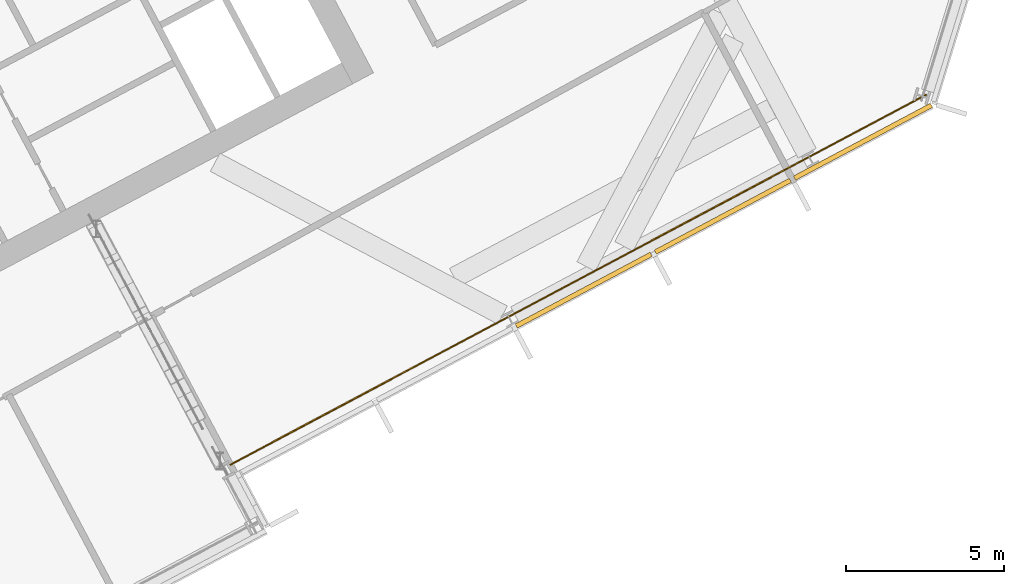
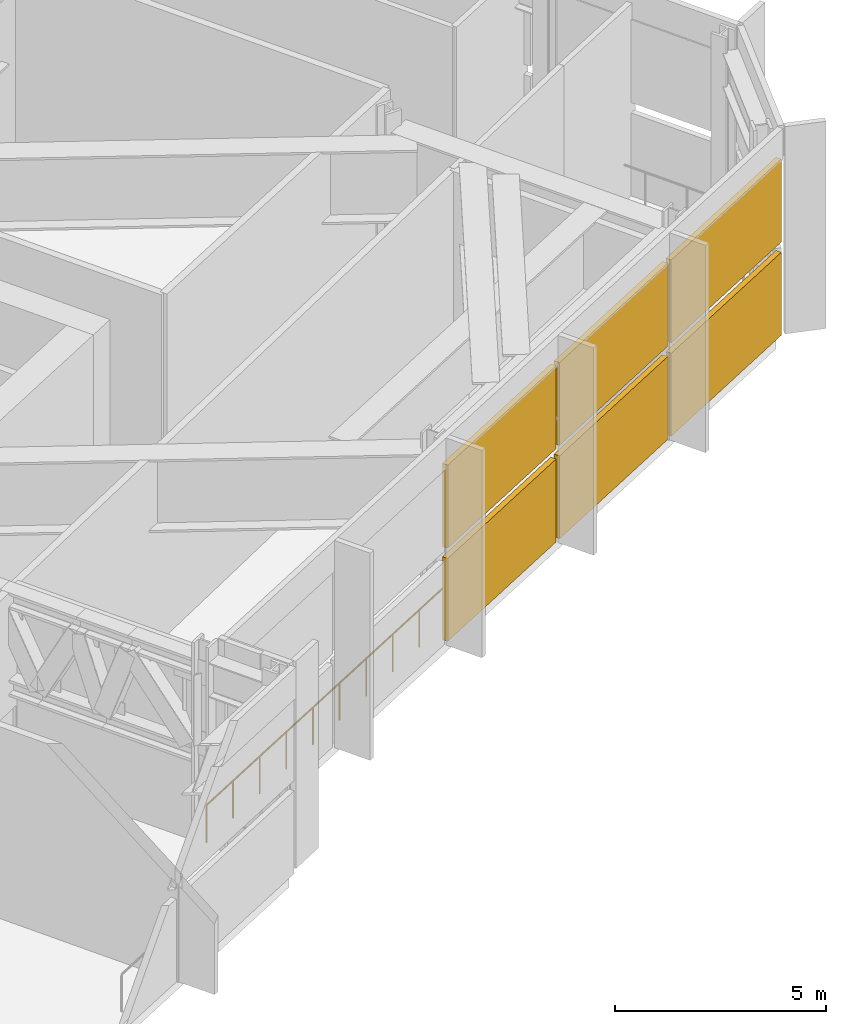
# One storey, part 30 of 33: 6 shading devices, 1 railing, 1 element without a shape of its own.
"""IFC4 building model written with IfcOpenShell, lengths in metres."""

from ifc_helpers import new_model, si_unit, direction, frame, origin, origin_2d, place, context, subcontext, project, spatial, polyline, rectangle, outline, extrude, material, layer, layer_set, type_object, element, aggregate, save


model = new_model("IFC4")

# Units and contexts
model_context = context("Model", 3, precision=1e-05, world=origin(), true_north=direction((0.0, 1.0)))
body_context = subcontext(model_context, "Body", "Model", "MODEL_VIEW")
ifc_project = project(units=[si_unit("LENGTHUNIT", "METRE"), si_unit("AREAUNIT", "SQUARE_METRE"), si_unit("VOLUMEUNIT", "CUBIC_METRE"), si_unit("PLANEANGLEUNIT", "RADIAN"), si_unit("MASSUNIT", "GRAM", prefix="KILO")], contexts=[model_context])

# Site, building, storey
site_placement = place(None, origin())
site = spatial("IfcSite", under=ifc_project, at=site_placement, CompositionType="ELEMENT")
building_placement = place(site_placement, origin())
building = spatial("IfcBuilding", under=site, at=building_placement, Name="Cormorant Relay Tower", CompositionType="ELEMENT")
storey_placement = place(building_placement, frame((0.0, 0.0, 183.60009765625)))
storey = spatial("IfcBuildingStorey", under=building, at=storey_placement, Name="L39", CompositionType="ELEMENT", Elevation=183.60009765625)

# Railing
ifc_material_1 = material(Name="Stainless steel 316 guard", Category="steel")
railing_type = type_object("IfcRailingType", Name="Band louvre guard 1100", PredefinedType="GUARDRAIL", material=ifc_material_1)
railing_placement = place(storey_placement, frame((33.501708984375, -3.365966796875, 0.0)))
element("IfcRailing", 1, at=railing_placement, inside=storey, type_object=railing_type, Name="CW4 guard 4", PredefinedType="GUARDRAIL", context=body_context, shape_type="SweptSolid", body=[
    extrude(outline(polyline([(0.022216796875, 0.00927734375), (0.00927734375, 0.022216796875), (-0.00927734375, 0.022216796875), (-0.022216796875, 0.00927734375), (-0.022216796875, -0.00927734375), (-0.00927734375, -0.022216796875), (0.00927734375, -0.022216796875), (0.022216796875, -0.00927734375), (0.022216796875, 0.00927734375)])), frame((0.0, 0.0, 1.076171875), z_axis=(0.882945345546, 0.469475789342, 0.0), x_axis=(-0.469475789342, 0.882945345546, 0.0)), (0.0, 0.0, 1.0), 24.999755859375),
    extrude(outline(polyline([(0.019287109375, 0.008056640625), (0.008056640625, 0.019287109375), (-0.008056640625, 0.019287109375), (-0.019287109375, 0.008056640625), (-0.019287109375, -0.008056640625), (-0.008056640625, -0.019287109375), (0.008056640625, -0.019287109375), (0.019287109375, -0.008056640625), (0.019287109375, 0.008056640625)])), origin(), (0.0, 0.0, 1.0), 1.052001953125),
    extrude(outline(polyline([(0.019287109375, 0.008056640625), (0.008056640625, 0.019287109375), (-0.008056640625, 0.019287109375), (-0.019287109375, 0.008056640625), (-0.019287109375, -0.008056640625), (-0.008056640625, -0.019287109375), (0.008056640625, -0.019287109375), (0.019287109375, -0.008056640625), (0.019287109375, 0.008056640625)])), frame((1.051025390625, 0.558837890625, 0.0)), (0.0, 0.0, 1.0), 1.052001953125),
    extrude(outline(polyline([(0.019287109375, 0.008056640625), (0.008056640625, 0.019287109375), (-0.008056640625, 0.019287109375), (-0.019287109375, 0.008056640625), (-0.019287109375, -0.008056640625), (-0.008056640625, -0.019287109375), (0.008056640625, -0.019287109375), (0.019287109375, -0.008056640625), (0.019287109375, 0.008056640625)])), frame((2.102294921875, 1.11767578125, 0.0)), (0.0, 0.0, 1.0), 1.052001953125),
    extrude(outline(polyline([(0.019287109375, 0.008056640625), (0.008056640625, 0.019287109375), (-0.008056640625, 0.019287109375), (-0.019287109375, 0.008056640625), (-0.019287109375, -0.008056640625), (-0.008056640625, -0.019287109375), (0.008056640625, -0.019287109375), (0.019287109375, -0.008056640625), (0.019287109375, 0.008056640625)])), frame((3.1533203125, 1.6767578125, 0.0)), (0.0, 0.0, 1.0), 1.052001953125),
    extrude(outline(polyline([(0.019287109375, 0.008056640625), (0.008056640625, 0.019287109375), (-0.008056640625, 0.019287109375), (-0.019287109375, 0.008056640625), (-0.019287109375, -0.008056640625), (-0.008056640625, -0.019287109375), (0.008056640625, -0.019287109375), (0.019287109375, -0.008056640625), (0.019287109375, 0.008056640625)])), frame((4.20458984375, 2.235595703125, 0.0)), (0.0, 0.0, 1.0), 1.052001953125),
    extrude(outline(polyline([(0.019287109375, 0.008056640625), (0.008056640625, 0.019287109375), (-0.008056640625, 0.019287109375), (-0.019287109375, 0.008056640625), (-0.019287109375, -0.008056640625), (-0.008056640625, -0.019287109375), (0.008056640625, -0.019287109375), (0.019287109375, -0.008056640625), (0.019287109375, 0.008056640625)])), frame((5.255615234375, 2.79443359375, 0.0)), (0.0, 0.0, 1.0), 1.052001953125),
    extrude(outline(polyline([(0.019287109375, 0.008056640625), (0.008056640625, 0.019287109375), (-0.008056640625, 0.019287109375), (-0.019287109375, 0.008056640625), (-0.019287109375, -0.008056640625), (-0.008056640625, -0.019287109375), (0.008056640625, -0.019287109375), (0.019287109375, -0.008056640625), (0.019287109375, 0.008056640625)])), frame((6.306640625, 3.353271484375, 0.0)), (0.0, 0.0, 1.0), 1.052001953125),
    extrude(outline(polyline([(0.019287109375, 0.008056640625), (0.008056640625, 0.019287109375), (-0.008056640625, 0.019287109375), (-0.019287109375, 0.008056640625), (-0.019287109375, -0.008056640625), (-0.008056640625, -0.019287109375), (0.008056640625, -0.019287109375), (0.019287109375, -0.008056640625), (0.019287109375, 0.008056640625)])), frame((7.35791015625, 3.912353515625, 0.0)), (0.0, 0.0, 1.0), 1.052001953125),
    extrude(outline(polyline([(0.019287109375, 0.008056640625), (0.008056640625, 0.019287109375), (-0.008056640625, 0.019287109375), (-0.019287109375, 0.008056640625), (-0.019287109375, -0.008056640625), (-0.008056640625, -0.019287109375), (0.008056640625, -0.019287109375), (0.019287109375, -0.008056640625), (0.019287109375, 0.008056640625)])), frame((8.408935546875, 4.47119140625, 0.0)), (0.0, 0.0, 1.0), 1.052001953125),
    extrude(outline(polyline([(0.019287109375, 0.008056640625), (0.008056640625, 0.019287109375), (-0.008056640625, 0.019287109375), (-0.019287109375, 0.008056640625), (-0.019287109375, -0.008056640625), (-0.008056640625, -0.019287109375), (0.008056640625, -0.019287109375), (0.019287109375, -0.008056640625), (0.019287109375, 0.008056640625)])), frame((9.4599609375, 5.030029296875, 0.0)), (0.0, 0.0, 1.0), 1.052001953125),
    extrude(outline(polyline([(0.019287109375, 0.008056640625), (0.008056640625, 0.019287109375), (-0.008056640625, 0.019287109375), (-0.019287109375, 0.008056640625), (-0.019287109375, -0.008056640625), (-0.008056640625, -0.019287109375), (0.008056640625, -0.019287109375), (0.019287109375, -0.008056640625), (0.019287109375, 0.008056640625)])), frame((10.51123046875, 5.5888671875, 0.0)), (0.0, 0.0, 1.0), 1.052001953125),
    extrude(outline(polyline([(0.019287109375, 0.008056640625), (0.008056640625, 0.019287109375), (-0.008056640625, 0.019287109375), (-0.019287109375, 0.008056640625), (-0.019287109375, -0.008056640625), (-0.008056640625, -0.019287109375), (0.008056640625, -0.019287109375), (0.019287109375, -0.008056640625), (0.019287109375, 0.008056640625)])), frame((11.562255859375, 6.14794921875, 0.0)), (0.0, 0.0, 1.0), 1.052001953125),
    extrude(outline(polyline([(0.019287109375, 0.008056640625), (0.008056640625, 0.019287109375), (-0.008056640625, 0.019287109375), (-0.019287109375, 0.008056640625), (-0.019287109375, -0.008056640625), (-0.008056640625, -0.019287109375), (0.008056640625, -0.019287109375), (0.019287109375, -0.008056640625), (0.019287109375, 0.008056640625)])), frame((12.613525390625, 6.706787109375, 0.0)), (0.0, 0.0, 1.0), 1.052001953125),
    extrude(outline(polyline([(0.019287109375, 0.008056640625), (0.008056640625, 0.019287109375), (-0.008056640625, 0.019287109375), (-0.019287109375, 0.008056640625), (-0.019287109375, -0.008056640625), (-0.008056640625, -0.019287109375), (0.008056640625, -0.019287109375), (0.019287109375, -0.008056640625), (0.019287109375, 0.008056640625)])), frame((13.66455078125, 7.265625, 0.0)), (0.0, 0.0, 1.0), 1.052001953125),
    extrude(outline(polyline([(0.019287109375, 0.008056640625), (0.008056640625, 0.019287109375), (-0.008056640625, 0.019287109375), (-0.019287109375, 0.008056640625), (-0.019287109375, -0.008056640625), (-0.008056640625, -0.019287109375), (0.008056640625, -0.019287109375), (0.019287109375, -0.008056640625), (0.019287109375, 0.008056640625)])), frame((14.715576171875, 7.824462890625, 0.0)), (0.0, 0.0, 1.0), 1.052001953125),
    extrude(outline(polyline([(0.019287109375, 0.008056640625), (0.008056640625, 0.019287109375), (-0.008056640625, 0.019287109375), (-0.019287109375, 0.008056640625), (-0.019287109375, -0.008056640625), (-0.008056640625, -0.019287109375), (0.008056640625, -0.019287109375), (0.019287109375, -0.008056640625), (0.019287109375, 0.008056640625)])), frame((15.766845703125, 8.383544921875, 0.0)), (0.0, 0.0, 1.0), 1.052001953125),
    extrude(outline(polyline([(0.019287109375, 0.008056640625), (0.008056640625, 0.019287109375), (-0.008056640625, 0.019287109375), (-0.019287109375, 0.008056640625), (-0.019287109375, -0.008056640625), (-0.008056640625, -0.019287109375), (0.008056640625, -0.019287109375), (0.019287109375, -0.008056640625), (0.019287109375, 0.008056640625)])), frame((16.81787109375, 8.9423828125, 0.0)), (0.0, 0.0, 1.0), 1.052001953125),
    extrude(outline(polyline([(0.019287109375, 0.008056640625), (0.008056640625, 0.019287109375), (-0.008056640625, 0.019287109375), (-0.019287109375, 0.008056640625), (-0.019287109375, -0.008056640625), (-0.008056640625, -0.019287109375), (0.008056640625, -0.019287109375), (0.019287109375, -0.008056640625), (0.019287109375, 0.008056640625)])), frame((17.868896484375, 9.501220703125, 0.0)), (0.0, 0.0, 1.0), 1.052001953125),
    extrude(outline(polyline([(0.019287109375, 0.008056640625), (0.008056640625, 0.019287109375), (-0.008056640625, 0.019287109375), (-0.019287109375, 0.008056640625), (-0.019287109375, -0.008056640625), (-0.008056640625, -0.019287109375), (0.008056640625, -0.019287109375), (0.019287109375, -0.008056640625), (0.019287109375, 0.008056640625)])), frame((18.920166015625, 10.06005859375, 0.0)), (0.0, 0.0, 1.0), 1.052001953125),
    extrude(outline(polyline([(0.019287109375, 0.008056640625), (0.008056640625, 0.019287109375), (-0.008056640625, 0.019287109375), (-0.019287109375, 0.008056640625), (-0.019287109375, -0.008056640625), (-0.008056640625, -0.019287109375), (0.008056640625, -0.019287109375), (0.019287109375, -0.008056640625), (0.019287109375, 0.008056640625)])), frame((19.97119140625, 10.619140625, 0.0)), (0.0, 0.0, 1.0), 1.052001953125),
    extrude(outline(polyline([(0.019287109375, 0.008056640625), (0.008056640625, 0.019287109375), (-0.008056640625, 0.019287109375), (-0.019287109375, 0.008056640625), (-0.019287109375, -0.008056640625), (-0.008056640625, -0.019287109375), (0.008056640625, -0.019287109375), (0.019287109375, -0.008056640625), (0.019287109375, 0.008056640625)])), frame((21.0224609375, 11.177978515625, 0.0)), (0.0, 0.0, 1.0), 1.052001953125),
    extrude(outline(polyline([(0.019287109375, 0.008056640625), (0.008056640625, 0.019287109375), (-0.008056640625, 0.019287109375), (-0.019287109375, 0.008056640625), (-0.019287109375, -0.008056640625), (-0.008056640625, -0.019287109375), (0.008056640625, -0.019287109375), (0.019287109375, -0.008056640625), (0.019287109375, 0.008056640625)])), frame((22.073486328125, 11.73681640625, 0.0)), (0.0, 0.0, 1.0), 1.052001953125),
])

# Curtain wall, shading devices
ifc_material_2 = material(Name="Aluminium 6063-T6 anodised bronze", Category="aluminium")
ifc_layer = layer(ifc_material_2, 0.199951171875)
ifc_layer_set = layer_set([ifc_layer], Name="CW4 band louvre wall")
curtain_wall_type = type_object("IfcCurtainWallType", Name="CW4 band louvre wall", PredefinedType="NOTDEFINED", material=ifc_layer_set)
curtain_wall_placement = place(storey_placement, origin())
curtain_wall = element("IfcCurtainWall", 2, at=curtain_wall_placement, inside=storey, type_object=curtain_wall_type, Name="CW4 curtain wall 4", PredefinedType="NOTDEFINED")
ifc_material_3 = material(Name="Aluminium 6063-T6 anodised bronze louvre", Category="aluminium")
shading_device_type = type_object("IfcShadingDeviceType", Name="CW4 bronze louvre bank 150 x 2400", PredefinedType="USERDEFINED", material=ifc_material_3)
shading_device_1_placement = place(storey_placement, frame((44.714599609375, 2.17138671875, 2.699951171875), z_axis=(0.0, 0.0, 1.0), x_axis=(0.882947592859, 0.469471562786, 0.0)))
shading_device_1 = element("IfcShadingDevice", 3, at=shading_device_1_placement, type_object=shading_device_type, Name="CW4 louvre bank U4.3", ObjectType="LOUVRE", PredefinedType="USERDEFINED", context=body_context, shape_type="SweptSolid", body=[
    extrude(rectangle(XDim=4.85009765625, YDim=0.14990234375, at=origin_2d()), origin(), (0.0, 0.0, 1.0), 2.39990234375),
])
shading_device_2_placement = place(storey_placement, frame((44.714599609375, 2.17138671875, 0.0), z_axis=(0.0, 0.0, 1.0), x_axis=(0.882947592859, 0.469471562786, 0.0)))
shading_device_2 = element("IfcShadingDevice", 4, at=shading_device_2_placement, type_object=shading_device_type, Name="CW4 louvre bank D4.3", ObjectType="LOUVRE", PredefinedType="USERDEFINED", context=body_context, shape_type="SweptSolid", body=[
    extrude(rectangle(XDim=4.85009765625, YDim=0.14990234375, at=origin_2d()), origin(), (0.0, 0.0, 1.0), 2.39990234375),
])
shading_device_3_placement = place(storey_placement, frame((49.12939453125, 4.518798828125, 2.699951171875), z_axis=(0.0, 0.0, 1.0), x_axis=(0.882947592859, 0.469471562786, 0.0)))
shading_device_3 = element("IfcShadingDevice", 5, at=shading_device_3_placement, type_object=shading_device_type, Name="CW4 louvre bank U4.4", ObjectType="LOUVRE", PredefinedType="USERDEFINED", context=body_context, shape_type="SweptSolid", body=[
    extrude(rectangle(XDim=4.85009765625, YDim=0.14990234375, at=origin_2d()), origin(), (0.0, 0.0, 1.0), 2.39990234375),
])
shading_device_4_placement = place(storey_placement, frame((49.12939453125, 4.518798828125, 0.0), z_axis=(0.0, 0.0, 1.0), x_axis=(0.882947592859, 0.469471562786, 0.0)))
shading_device_4 = element("IfcShadingDevice", 6, at=shading_device_4_placement, type_object=shading_device_type, Name="CW4 louvre bank D4.4", ObjectType="LOUVRE", PredefinedType="USERDEFINED", context=body_context, shape_type="SweptSolid", body=[
    extrude(rectangle(XDim=4.85009765625, YDim=0.14990234375, at=origin_2d()), origin(), (0.0, 0.0, 1.0), 2.39990234375),
])
shading_device_5_placement = place(storey_placement, frame((53.5771484375, 6.8837890625, 2.699951171875), z_axis=(0.0, 0.0, 1.0), x_axis=(0.882947592859, 0.469471562786, 0.0)))
shading_device_5 = element("IfcShadingDevice", 7, at=shading_device_5_placement, type_object=shading_device_type, Name="CW4 louvre bank U4.5", ObjectType="LOUVRE", PredefinedType="USERDEFINED", context=body_context, shape_type="SweptSolid", body=[
    extrude(rectangle(XDim=4.925048828125, YDim=0.14990234375, at=origin_2d()), origin(), (0.0, 0.0, 1.0), 2.39990234375),
])
shading_device_6_placement = place(storey_placement, frame((53.5771484375, 6.8837890625, 0.0), z_axis=(0.0, 0.0, 1.0), x_axis=(0.882947592859, 0.469471562786, 0.0)))
shading_device_6 = element("IfcShadingDevice", 8, at=shading_device_6_placement, type_object=shading_device_type, Name="CW4 louvre bank D4.5", ObjectType="LOUVRE", PredefinedType="USERDEFINED", context=body_context, shape_type="SweptSolid", body=[
    extrude(rectangle(XDim=4.925048828125, YDim=0.14990234375, at=origin_2d()), origin(), (0.0, 0.0, 1.0), 2.39990234375),
])
aggregate(curtain_wall, [shading_device_1, shading_device_2, shading_device_3, shading_device_4, shading_device_5, shading_device_6])

save(model, "model.ifc")
